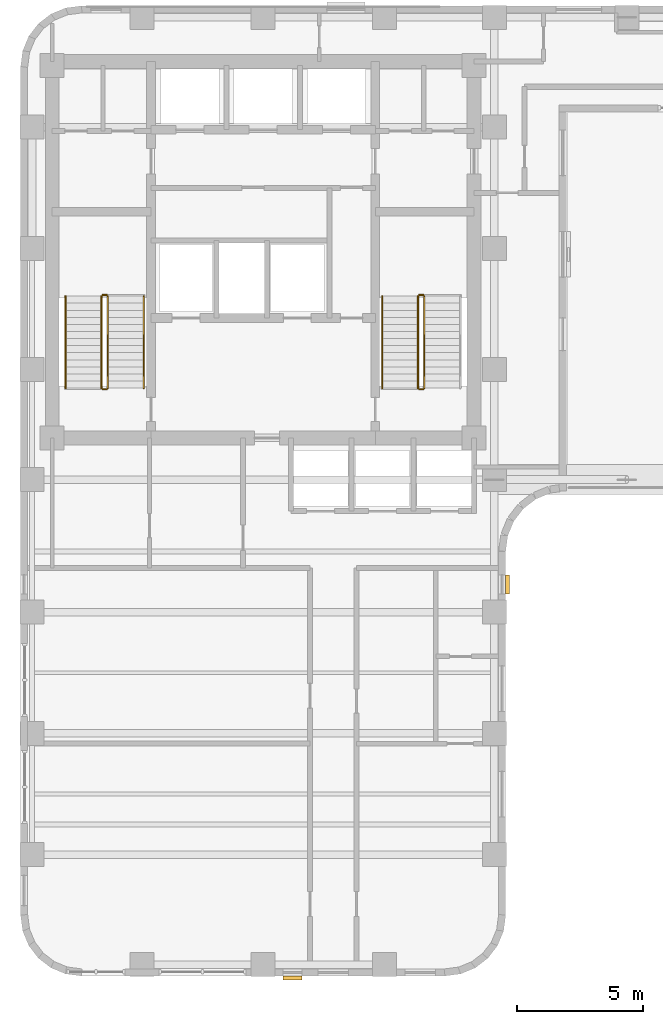
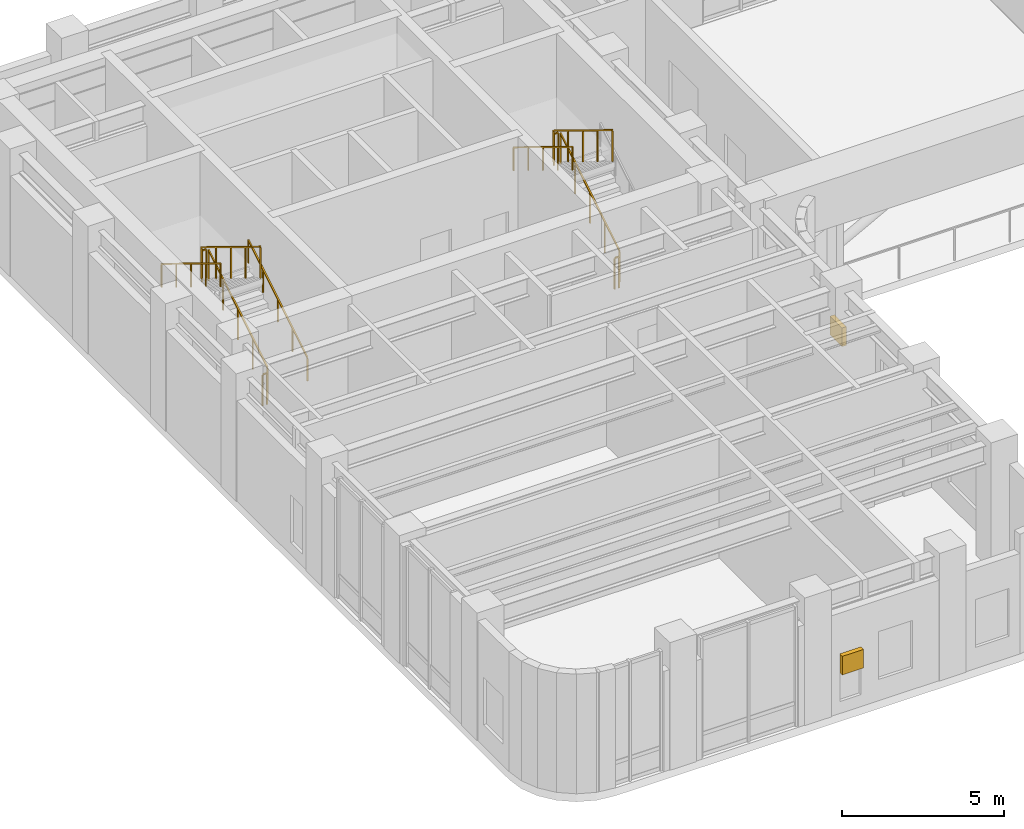
# One storey, part 10 of 12: 11 railings, 2 shading devices.
"""IFC4 building model written with IfcOpenShell, lengths in metres."""

from ifc_helpers import new_model, si_unit, direction, frame, origin, origin_2d, place, context, subcontext, project, spatial, rectangle, extrude, material, type_object, element, save


model = new_model("IFC4")

# Units and contexts
model_context = context("Model", 3, precision=1e-05, world=origin(), true_north=direction((0.0, 1.0)))
body_context = subcontext(model_context, "Body", "Model", "MODEL_VIEW")
ifc_project = project(units=[si_unit("LENGTHUNIT", "METRE"), si_unit("AREAUNIT", "SQUARE_METRE"), si_unit("VOLUMEUNIT", "CUBIC_METRE"), si_unit("PLANEANGLEUNIT", "RADIAN"), si_unit("MASSUNIT", "GRAM", prefix="KILO")], contexts=[model_context])

# Site, building, storey
site_placement = place(None, origin())
site = spatial("IfcSite", under=ifc_project, at=site_placement, CompositionType="ELEMENT")
building_placement = place(site_placement, origin())
building = spatial("IfcBuilding", under=site, at=building_placement, Name="Orvandelia Arch Residences", CompositionType="ELEMENT")
storey_placement = place(building_placement, frame((0.0, 0.0, 193.60009765625)))
storey = spatial("IfcBuildingStorey", under=building, at=storey_placement, Name="L51", CompositionType="ELEMENT", Elevation=193.60009765625)

# Railings
ifc_material_1 = material(Name="Brushed Stainless Steel 304", Category="steel")
railing_type_1 = type_object("IfcRailingType", Name="RL-STAIR-GD1120", PredefinedType="GUARDRAIL", material=ifc_material_1)
railing_1_placement = place(storey_placement, frame((8.25, 32.8701171875, 0.17138671875)))
element("IfcRailing", 1, at=railing_1_placement, inside=storey, type_object=railing_type_1, Name="L51 ST-1 stair guard 1", PredefinedType="GUARDRAIL", context=body_context, shape_type="SweptSolid", body=[
    extrude(rectangle(XDim=0.048095703125, YDim=0.048095703125, at=origin_2d()), frame((0.0, 0.0, 1.17578125), z_axis=(0.0, 0.852850264322, 0.5221555579), x_axis=(-1.0, 0.0, 0.0)), (0.0, 0.0, 1.0), 4.267822265625),
    extrude(rectangle(XDim=0.0419921875, YDim=0.0419921875, at=origin_2d()), origin(), (0.0, 0.0, 1.0), 1.15185546875),
    extrude(rectangle(XDim=0.0419921875, YDim=0.0419921875, at=origin_2d()), frame((0.0, 0.909912109375, 0.55712890625)), (0.0, 0.0, 1.0), 1.15185546875),
    extrude(rectangle(XDim=0.0419921875, YDim=0.0419921875, at=origin_2d()), frame((0.0, 1.81982421875, 1.1142578125)), (0.0, 0.0, 1.0), 1.15185546875),
    extrude(rectangle(XDim=0.0419921875, YDim=0.0419921875, at=origin_2d()), frame((0.0, 2.72998046875, 1.67138671875)), (0.0, 0.0, 1.0), 1.15185546875),
    extrude(rectangle(XDim=0.0419921875, YDim=0.0419921875, at=origin_2d()), frame((0.0, 3.639892578125, 2.228515625)), (0.0, 0.0, 1.0), 1.15185546875),
])
railing_2_placement = place(storey_placement, frame((8.199951171875, 36.56005859375, 2.39990234375)))
element("IfcRailing", 2, at=railing_2_placement, inside=storey, type_object=railing_type_1, Name="L51 ST-1 stair guard 2", PredefinedType="GUARDRAIL", context=body_context, shape_type="SweptSolid", body=[
    extrude(rectangle(XDim=0.048095703125, YDim=0.048095703125, at=origin_2d()), frame((0.0, 0.0, 1.17578125), z_axis=(-1.0, 0.0, 0.0), x_axis=(0.0, -1.0, 0.0)), (0.0, 0.0, 1.0), 0.14990234375),
    extrude(rectangle(XDim=0.0419921875, YDim=0.0419921875, at=origin_2d()), origin(), (0.0, 0.0, 1.0), 1.15185546875),
    extrude(rectangle(XDim=0.0419921875, YDim=0.0419921875, at=origin_2d()), frame((-0.14990234375, 0.0, 0.0)), (0.0, 0.0, 1.0), 1.15185546875),
])
railing_3_placement = place(storey_placement, frame((8.0, 36.510009765625, 2.5712890625)))
element("IfcRailing", 3, at=railing_3_placement, inside=storey, type_object=railing_type_1, Name="L51 ST-1 stair guard 3", PredefinedType="GUARDRAIL", context=body_context, shape_type="SweptSolid", body=[
    extrude(rectangle(XDim=0.048095703125, YDim=0.048095703125, at=origin_2d()), frame((0.0, 0.0, 1.17578125), z_axis=(0.0, -0.852850264322, 0.5221555579), x_axis=(1.0, 0.0, 0.0)), (0.0, 0.0, 1.0), 4.267822265625),
    extrude(rectangle(XDim=0.0419921875, YDim=0.0419921875, at=origin_2d()), origin(), (0.0, 0.0, 1.0), 1.15185546875),
    extrude(rectangle(XDim=0.0419921875, YDim=0.0419921875, at=origin_2d()), frame((0.0, -0.909912109375, 0.55712890625)), (0.0, 0.0, 1.0), 1.15185546875),
    extrude(rectangle(XDim=0.0419921875, YDim=0.0419921875, at=origin_2d()), frame((0.0, -1.81982421875, 1.1142578125)), (0.0, 0.0, 1.0), 1.15185546875),
    extrude(rectangle(XDim=0.0419921875, YDim=0.0419921875, at=origin_2d()), frame((0.0, -2.72998046875, 1.67138671875)), (0.0, 0.0, 1.0), 1.15185546875),
    extrude(rectangle(XDim=0.0419921875, YDim=0.0419921875, at=origin_2d()), frame((0.0, -3.639892578125, 2.228515625)), (0.0, 0.0, 1.0), 1.15185546875),
])
railing_4_placement = place(storey_placement, frame((8.199951171875, 32.820068359375, 0.0)))
element("IfcRailing", 4, at=railing_4_placement, inside=storey, type_object=railing_type_1, Name="L51 ST-1 stair guard 4", PredefinedType="GUARDRAIL", context=body_context, shape_type="SweptSolid", body=[
    extrude(rectangle(XDim=0.048095703125, YDim=0.048095703125, at=origin_2d()), frame((0.0, 0.0, 1.17578125), z_axis=(-1.0, 0.0, 0.0), x_axis=(0.0, -1.0, 0.0)), (0.0, 0.0, 1.0), 0.14990234375),
    extrude(rectangle(XDim=0.0419921875, YDim=0.0419921875, at=origin_2d()), origin(), (0.0, 0.0, 1.0), 1.15185546875),
    extrude(rectangle(XDim=0.0419921875, YDim=0.0419921875, at=origin_2d()), frame((-0.14990234375, 0.0, 0.0)), (0.0, 0.0, 1.0), 1.15185546875),
])
railing_5_placement = place(storey_placement, frame((20.780029296875, 32.8701171875, 0.17138671875)))
element("IfcRailing", 5, at=railing_5_placement, inside=storey, type_object=railing_type_1, Name="L51 ST-2 stair guard 1", PredefinedType="GUARDRAIL", context=body_context, shape_type="SweptSolid", body=[
    extrude(rectangle(XDim=0.048095703125, YDim=0.048095703125, at=origin_2d()), frame((0.0, 0.0, 1.17578125), z_axis=(0.0, 0.852850264322, 0.5221555579), x_axis=(-1.0, 0.0, 0.0)), (0.0, 0.0, 1.0), 4.267822265625),
    extrude(rectangle(XDim=0.0419921875, YDim=0.0419921875, at=origin_2d()), origin(), (0.0, 0.0, 1.0), 1.15185546875),
    extrude(rectangle(XDim=0.0419921875, YDim=0.0419921875, at=origin_2d()), frame((0.0, 0.909912109375, 0.55712890625)), (0.0, 0.0, 1.0), 1.15185546875),
    extrude(rectangle(XDim=0.0419921875, YDim=0.0419921875, at=origin_2d()), frame((0.0, 1.81982421875, 1.1142578125)), (0.0, 0.0, 1.0), 1.15185546875),
    extrude(rectangle(XDim=0.0419921875, YDim=0.0419921875, at=origin_2d()), frame((0.0, 2.72998046875, 1.67138671875)), (0.0, 0.0, 1.0), 1.15185546875),
    extrude(rectangle(XDim=0.0419921875, YDim=0.0419921875, at=origin_2d()), frame((0.0, 3.639892578125, 2.228515625)), (0.0, 0.0, 1.0), 1.15185546875),
])
railing_6_placement = place(storey_placement, frame((20.72998046875, 36.56005859375, 2.39990234375)))
element("IfcRailing", 6, at=railing_6_placement, inside=storey, type_object=railing_type_1, Name="L51 ST-2 stair guard 2", PredefinedType="GUARDRAIL", context=body_context, shape_type="SweptSolid", body=[
    extrude(rectangle(XDim=0.048095703125, YDim=0.048095703125, at=origin_2d()), frame((0.0, 0.0, 1.17578125), z_axis=(-1.0, 0.0, 0.0), x_axis=(0.0, -1.0, 0.0)), (0.0, 0.0, 1.0), 0.14990234375),
    extrude(rectangle(XDim=0.0419921875, YDim=0.0419921875, at=origin_2d()), origin(), (0.0, 0.0, 1.0), 1.15185546875),
    extrude(rectangle(XDim=0.0419921875, YDim=0.0419921875, at=origin_2d()), frame((-0.14990234375, 0.0, 0.0)), (0.0, 0.0, 1.0), 1.15185546875),
])
railing_7_placement = place(storey_placement, frame((20.530029296875, 36.510009765625, 2.5712890625)))
element("IfcRailing", 7, at=railing_7_placement, inside=storey, type_object=railing_type_1, Name="L51 ST-2 stair guard 3", PredefinedType="GUARDRAIL", context=body_context, shape_type="SweptSolid", body=[
    extrude(rectangle(XDim=0.048095703125, YDim=0.048095703125, at=origin_2d()), frame((0.0, 0.0, 1.17578125), z_axis=(0.0, -0.852850264322, 0.5221555579), x_axis=(1.0, 0.0, 0.0)), (0.0, 0.0, 1.0), 4.267822265625),
    extrude(rectangle(XDim=0.0419921875, YDim=0.0419921875, at=origin_2d()), origin(), (0.0, 0.0, 1.0), 1.15185546875),
    extrude(rectangle(XDim=0.0419921875, YDim=0.0419921875, at=origin_2d()), frame((0.0, -0.909912109375, 0.55712890625)), (0.0, 0.0, 1.0), 1.15185546875),
    extrude(rectangle(XDim=0.0419921875, YDim=0.0419921875, at=origin_2d()), frame((0.0, -1.81982421875, 1.1142578125)), (0.0, 0.0, 1.0), 1.15185546875),
    extrude(rectangle(XDim=0.0419921875, YDim=0.0419921875, at=origin_2d()), frame((0.0, -2.72998046875, 1.67138671875)), (0.0, 0.0, 1.0), 1.15185546875),
    extrude(rectangle(XDim=0.0419921875, YDim=0.0419921875, at=origin_2d()), frame((0.0, -3.639892578125, 2.228515625)), (0.0, 0.0, 1.0), 1.15185546875),
])
railing_8_placement = place(storey_placement, frame((20.72998046875, 32.820068359375, 0.0)))
element("IfcRailing", 8, at=railing_8_placement, inside=storey, type_object=railing_type_1, Name="L51 ST-2 stair guard 4", PredefinedType="GUARDRAIL", context=body_context, shape_type="SweptSolid", body=[
    extrude(rectangle(XDim=0.048095703125, YDim=0.048095703125, at=origin_2d()), frame((0.0, 0.0, 1.17578125), z_axis=(-1.0, 0.0, 0.0), x_axis=(0.0, -1.0, 0.0)), (0.0, 0.0, 1.0), 0.14990234375),
    extrude(rectangle(XDim=0.0419921875, YDim=0.0419921875, at=origin_2d()), origin(), (0.0, 0.0, 1.0), 1.15185546875),
    extrude(rectangle(XDim=0.0419921875, YDim=0.0419921875, at=origin_2d()), frame((-0.14990234375, 0.0, 0.0)), (0.0, 0.0, 1.0), 1.15185546875),
])
railing_type_2 = type_object("IfcRailingType", Name="RL-STAIR-HR920", PredefinedType="HANDRAIL", material=ifc_material_1)
railing_9_placement = place(storey_placement, frame((9.669921875, 32.8701171875, 0.3427734375)))
element("IfcRailing", 9, at=railing_9_placement, inside=storey, type_object=railing_type_2, Name="L51 ST-1 stair handrail 1", PredefinedType="HANDRAIL", context=body_context, shape_type="SweptSolid", body=[
    extrude(rectangle(XDim=0.048095703125, YDim=0.048095703125, at=origin_2d()), frame((0.0, 0.0, 0.8759765625), z_axis=(0.0, 0.852850264322, 0.5221555579), x_axis=(-1.0, 0.0, 0.0)), (0.0, 0.0, 1.0), 4.267822265625),
    extrude(rectangle(XDim=0.0419921875, YDim=0.0419921875, at=origin_2d()), origin(), (0.0, 0.0, 1.0), 0.851806640625),
    extrude(rectangle(XDim=0.0419921875, YDim=0.0419921875, at=origin_2d()), frame((0.0, 0.909912109375, 0.55712890625)), (0.0, 0.0, 1.0), 0.851806640625),
    extrude(rectangle(XDim=0.0419921875, YDim=0.0419921875, at=origin_2d()), frame((0.0, 1.81982421875, 1.1142578125)), (0.0, 0.0, 1.0), 0.851806640625),
    extrude(rectangle(XDim=0.0419921875, YDim=0.0419921875, at=origin_2d()), frame((0.0, 2.72998046875, 1.67138671875)), (0.0, 0.0, 1.0), 0.851806640625),
    extrude(rectangle(XDim=0.0419921875, YDim=0.0419921875, at=origin_2d()), frame((0.0, 3.639892578125, 2.228515625)), (0.0, 0.0, 1.0), 0.851806640625),
])
for number, where, name in (
    (10, (6.580078125, 36.510009765625, 2.74267578125), "L51 ST-1 stair handrail 2"),
    (11, (19.110107421875, 36.510009765625, 2.74267578125), "L51 ST-2 stair handrail 2"),
):
    element("IfcRailing", number, at=place(storey_placement, frame(where)), inside=storey, type_object=railing_type_2, Name=name, PredefinedType="HANDRAIL", context=body_context, shape_type="SweptSolid", body=[
        extrude(rectangle(XDim=0.048095703125, YDim=0.048095703125, at=origin_2d()), frame((0.0, 0.0, 0.8759765625), z_axis=(0.0, -0.852824790078, 0.522197163366), x_axis=(1.0, 0.0, 0.0)), (0.0, 0.0, 1.0), 4.26806640625),
        extrude(rectangle(XDim=0.0419921875, YDim=0.0419921875, at=origin_2d()), origin(), (0.0, 0.0, 1.0), 0.851806640625),
        extrude(rectangle(XDim=0.0419921875, YDim=0.0419921875, at=origin_2d()), frame((0.0, -0.909912109375, 0.55712890625)), (0.0, 0.0, 1.0), 0.851806640625),
        extrude(rectangle(XDim=0.0419921875, YDim=0.0419921875, at=origin_2d()), frame((0.0, -1.81982421875, 1.1142578125)), (0.0, 0.0, 1.0), 0.851806640625),
        extrude(rectangle(XDim=0.0419921875, YDim=0.0419921875, at=origin_2d()), frame((0.0, -2.72998046875, 1.671630859375)), (0.0, 0.0, 1.0), 0.851806640625),
        extrude(rectangle(XDim=0.0419921875, YDim=0.0419921875, at=origin_2d()), frame((0.0, -3.639892578125, 2.228759765625)), (0.0, 0.0, 1.0), 0.851806640625),
    ])

# Shading devices
ifc_material_2 = material(Name="Anodised Champagne-Bronze Extruded Aluminium", Category="aluminium")
shading_device_type = type_object("IfcShadingDeviceType", Name="SHD-JALOUSIE-SCREEN", PredefinedType="JALOUSIE", material=ifc_material_2)
for number, where, z_axis, x_axis, name in (
    (12, (24.080078125, 25.097412109375, 1.5498046875), (0.0, 0.0, 1.0), (0.0, -1.0, 0.0), "Bronze Jalousie Sun-Shade L51-004"),
    (13, (15.5625, 9.52001953125, 1.5498046875), (0.0, 0.0, 1.0), (-1.0, 0.0, 0.0), "Bronze Jalousie Sun-Shade L51-005"),
):
    element("IfcShadingDevice", number, at=place(storey_placement, frame(where, z_axis=z_axis, x_axis=x_axis)), inside=storey, type_object=shading_device_type, Name=name, PredefinedType="JALOUSIE", context=body_context, shape_type="SweptSolid", body=[
        extrude(rectangle(XDim=0.75, YDim=0.159912109375, at=origin_2d()), origin(), (0.0, 0.0, 1.0), 0.699951171875),
    ])

save(model, "model.ifc")
